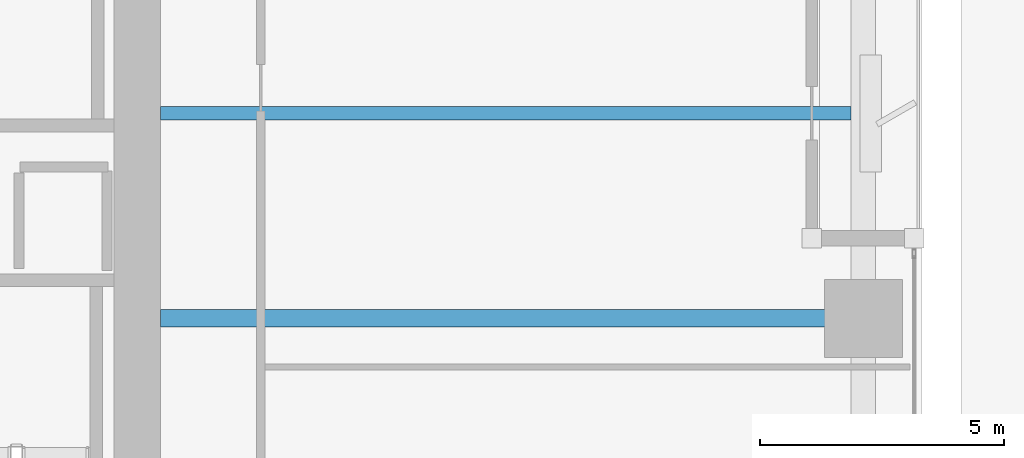
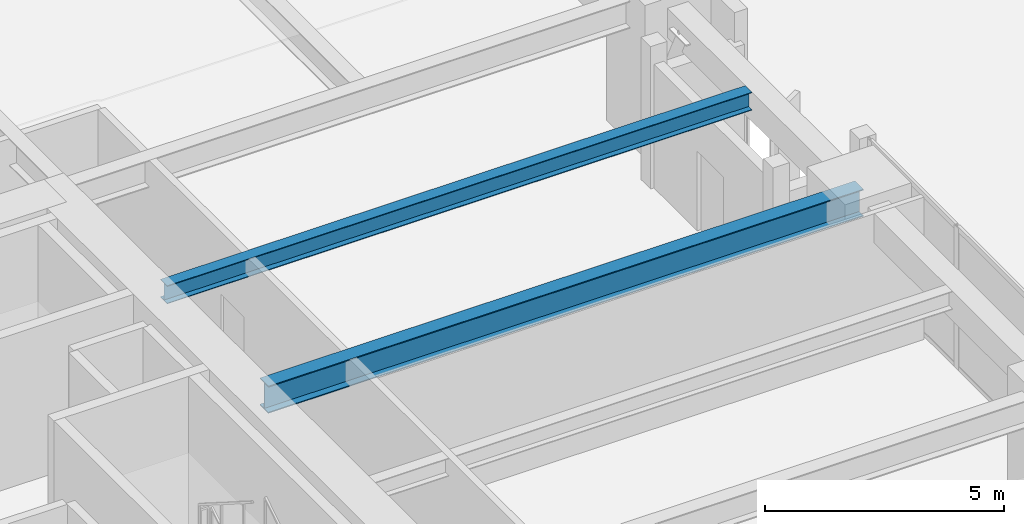
# One storey, part 19 of 38: 2 beams.
"""IFC4 building model written with IfcOpenShell, lengths in metres."""

from ifc_helpers import new_model, si_unit, direction, frame, origin, origin_2d, place, context, subcontext, project, spatial, i_section, extrude, material, material_profile, profile_set, type_object, element, save


model = new_model("IFC4")

# Units and contexts
model_context = context("Model", 3, precision=1e-05, world=origin(), true_north=direction((0.0, 1.0)))
body_context = subcontext(model_context, "Body", "Model", "MODEL_VIEW")
ifc_project = project(units=[si_unit("LENGTHUNIT", "METRE"), si_unit("AREAUNIT", "SQUARE_METRE"), si_unit("VOLUMEUNIT", "CUBIC_METRE"), si_unit("PLANEANGLEUNIT", "RADIAN"), si_unit("MASSUNIT", "GRAM", prefix="KILO")], contexts=[model_context])

# Site, building, storey
site_placement = place(None, origin())
site = spatial("IfcSite", under=ifc_project, at=site_placement, CompositionType="ELEMENT")
building_placement = place(site_placement, origin())
building = spatial("IfcBuilding", under=site, at=building_placement, Name="Kiyonajd Concourse Tower", CompositionType="ELEMENT")
storey_placement = place(building_placement, frame((0.0, 0.0, 21.60009765625)))
storey = spatial("IfcBuildingStorey", under=building, at=storey_placement, Name="L06", CompositionType="ELEMENT", Elevation=21.60009765625)

# Beams
ifc_material = material(Name="Steel ASTM A992 Grade 50", Category="steel")
ifc_material_profile_1 = material_profile(ifc_material, i_section(OverallWidth=0.280029296875, OverallDepth=0.462890625, WebThickness=0.0107421875, FlangeThickness=0.017333984375, at=origin_2d()), Name="W460X113")
ifc_profile_set_1 = profile_set([ifc_material_profile_1], Name="Steel ASTM A992 Grade 50")
beam_type_1 = type_object("IfcBeamType", Name="BM-JST-460A", PredefinedType="JOIST", material=ifc_profile_set_1)
beam_1_placement = place(storey_placement, frame((63.60009765625, 40.199951171875, 3.408447265625), z_axis=(1.0, 0.0, 0.0), x_axis=(0.0, 1.0, 0.0)))
element("IfcBeam", 1, at=beam_1_placement, inside=storey, type_object=beam_type_1, Name="L06 East Secondary Floor Joist", PredefinedType="JOIST", context=body_context, shape_type="SweptSolid", body=[
    extrude(i_section(OverallWidth=0.280029296875, OverallDepth=0.462890625, WebThickness=0.0107421875, FlangeThickness=0.017333984375, at=origin_2d()), origin(), (0.0, 0.0, 1.0), 14.14990234375),
])
ifc_material_profile_2 = material_profile(ifc_material, i_section(OverallWidth=0.35498046875, OverallDepth=0.695068359375, WebThickness=0.015380859375, FlangeThickness=0.02490234375, at=origin_2d()), Name="W690X217")
ifc_profile_set_2 = profile_set([ifc_material_profile_2], Name="Steel ASTM A992 Grade 50")
beam_type_2 = type_object("IfcBeamType", Name="BM-TWR-690", PredefinedType="BEAM", material=ifc_profile_set_2)
beam_2_placement = place(storey_placement, frame((63.60009765625, 36.0, 3.29248046875), z_axis=(1.0, 0.0, 0.0), x_axis=(0.0, 1.0, 0.0)))
element("IfcBeam", 2, at=beam_2_placement, inside=storey, type_object=beam_type_2, Name="L06 East Lease Girder", PredefinedType="BEAM", context=body_context, shape_type="SweptSolid", body=[
    extrude(i_section(OverallWidth=0.35498046875, OverallDepth=0.695068359375, WebThickness=0.015380859375, FlangeThickness=0.02490234375, at=origin_2d()), origin(), (0.0, 0.0, 1.0), 14.39990234375),
])

save(model, "model.ifc")
